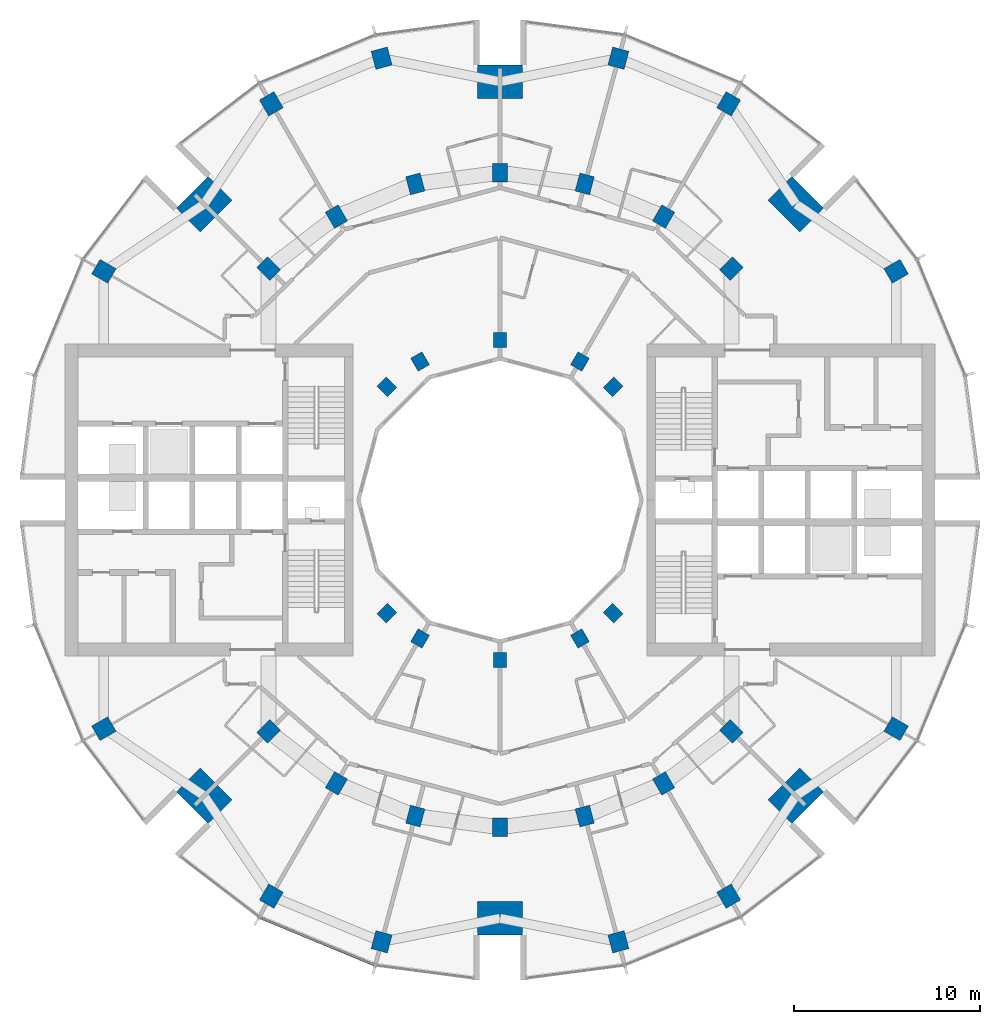
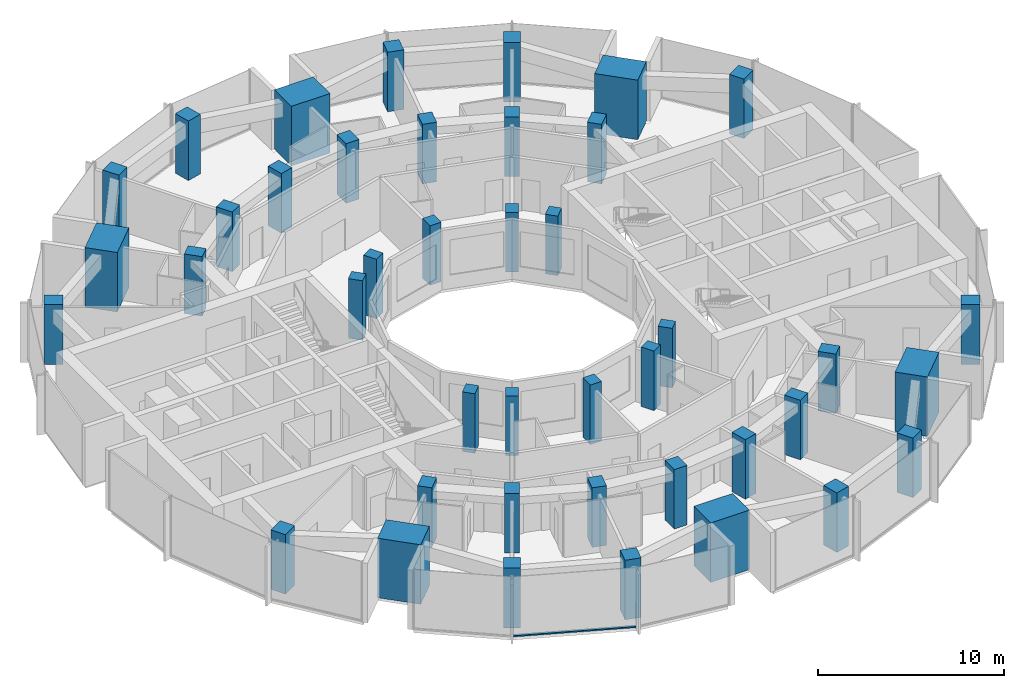
# One storey, part 1 of 15: 42 columns, 1 member, 1 element without a shape of its own.
"""IFC4 building model written with IfcOpenShell, lengths in metres."""

from ifc_helpers import new_model, si_unit, direction, frame, origin, origin_2d, place, context, subcontext, project, spatial, rectangle, extrude, material, layer, layer_set, material_profile, profile_set, type_object, element, aggregate, save


model = new_model("IFC4")

# Units and contexts
model_context = context("Model", 3, precision=1e-05, world=origin(), true_north=direction((0.0, 1.0)))
body_context = subcontext(model_context, "Body", "Model", "MODEL_VIEW")
ifc_project = project(units=[si_unit("LENGTHUNIT", "METRE"), si_unit("AREAUNIT", "SQUARE_METRE"), si_unit("VOLUMEUNIT", "CUBIC_METRE"), si_unit("PLANEANGLEUNIT", "RADIAN"), si_unit("MASSUNIT", "GRAM", prefix="KILO")], contexts=[model_context])

# Site, building, storey
site_placement = place(None, origin())
site = spatial("IfcSite", under=ifc_project, at=site_placement, CompositionType="ELEMENT")
building_placement = place(site_placement, origin())
building = spatial("IfcBuilding", under=site, at=building_placement, Name="Torre Brocal", CompositionType="ELEMENT")
storey_placement = place(building_placement, frame((0.0, 0.0, 118.5)))
storey = spatial("IfcBuildingStorey", under=building, at=storey_placement, Name="L27", CompositionType="ELEMENT", Elevation=118.5)

# Columns
ifc_material_1 = material(Name="Concrete C70", Category="concrete")
ifc_material_profile_1 = material_profile(ifc_material_1, rectangle(XDim=1.0, YDim=0.800048828125, at=origin_2d()), Name="RC 1000X800")
ifc_profile_set_1 = profile_set([ifc_material_profile_1], Name="Concrete C70")
column_type_1 = type_object("IfcColumnType", Name="RC COLUMN 1000X800 C70", PredefinedType="COLUMN", material=ifc_profile_set_1)
for number, where, z_axis, x_axis, name in (
    (1, (92.445068359375, 87.445068359375, 0.0), (0.0, 0.0, 1.0), (0.707106781187, 0.707106781187, 0.0), "Column C-M03"),
    (2, (88.800048828125, 90.241943359375, 0.0), (0.0, 0.0, 1.0), (0.5, 0.866025403784, 0.0), "Column C-M04"),
    (3, (84.55517578125, 92.000244140625, 0.0), (0.0, 0.0, 1.0), (0.258819045103, 0.965925826289, 0.0), "Column C-M05"),
    (4, (80.0, 92.60009765625, 0.0), (0.0, 0.0, 1.0), (0.0, 1.0, 0.0), "Column C-M06"),
    (5, (75.44482421875, 92.000244140625, 0.0), (0.0, 0.0, 1.0), (-0.258819045103, 0.965925826289, 0.0), "Column C-M07"),
    (6, (71.199951171875, 90.241943359375, 0.0), (0.0, 0.0, 1.0), (-0.5, 0.866025403784, 0.0), "Column C-M08"),
    (7, (67.554931640625, 87.445068359375, 0.0), (0.0, 0.0, 1.0), (-0.707106781187, 0.707106781187, 0.0), "Column C-M09"),
    (8, (67.554931640625, 62.554931640625, 0.0), (0.0, 0.0, 1.0), (-0.707106781187, -0.707106781187, 0.0), "Column C-M15"),
    (9, (71.199951171875, 59.758056640625, 0.0), (0.0, 0.0, 1.0), (-0.5, -0.866025403784, 0.0), "Column C-M16"),
    (10, (75.44482421875, 57.999755859375, 0.0), (0.0, 0.0, 1.0), (-0.258819045103, -0.965925826289, 0.0), "Column C-M17"),
    (11, (80.0, 57.39990234375, 0.0), (0.0, 0.0, 1.0), (0.0, -1.0, 0.0), "Column C-M18"),
    (12, (84.55517578125, 57.999755859375, 0.0), (0.0, 0.0, 1.0), (0.258819045103, -0.965925826289, 0.0), "Column C-M19"),
    (13, (88.800048828125, 59.758056640625, 0.0), (0.0, 0.0, 1.0), (0.5, -0.866025403784, 0.0), "Column C-M20"),
    (14, (92.445068359375, 62.554931640625, 0.0), (0.0, 0.0, 1.0), (0.707106781187, -0.707106781187, 0.0), "Column C-M21"),
):
    element("IfcColumn", number, at=place(storey_placement, frame(where, z_axis=z_axis, x_axis=x_axis)), inside=storey, type_object=column_type_1, Name=name, PredefinedType="COLUMN", context=body_context, shape_type="SweptSolid", body=[
        extrude(rectangle(XDim=1.0, YDim=0.800048828125, at=origin_2d()), origin(), (0.0, 0.0, 1.0), 3.89990234375),
    ])
ifc_material_2 = material(Name="Concrete C70", Category="concrete")
ifc_material_profile_2 = material_profile(ifc_material_2, rectangle(XDim=1.0, YDim=0.89990234375, at=origin_2d()), Name="RC 1000X900")
ifc_profile_set_2 = profile_set([ifc_material_profile_2], Name="Concrete C70")
column_type_2 = type_object("IfcColumnType", Name="RC COLUMN 1000X900 C70", PredefinedType="COLUMN", material=ifc_profile_set_2)
for number, where, z_axis, x_axis, name in (
    (15, (101.30419921875, 87.300048828125, 0.0), (0.0, 0.0, 1.0), (0.866025403784, 0.5, 0.0), "Column C-O02"),
    (16, (92.300048828125, 96.30419921875, 0.0), (0.0, 0.0, 1.0), (0.5, 0.866025403784, 0.0), "Column C-O04"),
    (17, (86.366943359375, 98.76171875, 0.0), (0.0, 0.0, 1.0), (0.258819045103, 0.965925826289, 0.0), "Column C-O05"),
    (18, (73.633056640625, 98.76171875, 0.0), (0.0, 0.0, 1.0), (-0.258819045103, 0.965925826289, 0.0), "Column C-O07"),
    (19, (67.699951171875, 96.30419921875, 0.0), (0.0, 0.0, 1.0), (-0.5, 0.866025403784, 0.0), "Column C-O08"),
    (20, (58.69580078125, 87.300048828125, 0.0), (0.0, 0.0, 1.0), (-0.866025403784, 0.5, 0.0), "Column C-O10"),
    (21, (58.69580078125, 62.699951171875, 0.0), (0.0, 0.0, 1.0), (-0.866025403784, -0.5, 0.0), "Column C-O14"),
    (22, (67.699951171875, 53.69580078125, 0.0), (0.0, 0.0, 1.0), (-0.5, -0.866025403784, 0.0), "Column C-O16"),
    (23, (73.633056640625, 51.23828125, 0.0), (0.0, 0.0, 1.0), (-0.258819045103, -0.965925826289, 0.0), "Column C-O17"),
    (24, (86.366943359375, 51.23828125, 0.0), (0.0, 0.0, 1.0), (0.258819045103, -0.965925826289, 0.0), "Column C-O19"),
    (25, (92.300048828125, 53.69580078125, 0.0), (0.0, 0.0, 1.0), (0.5, -0.866025403784, 0.0), "Column C-O20"),
    (26, (101.30419921875, 62.699951171875, 0.0), (0.0, 0.0, 1.0), (0.866025403784, -0.5, 0.0), "Column C-O22"),
):
    element("IfcColumn", number, at=place(storey_placement, frame(where, z_axis=z_axis, x_axis=x_axis)), inside=storey, type_object=column_type_2, Name=name, PredefinedType="COLUMN", context=body_context, shape_type="SweptSolid", body=[
        extrude(rectangle(XDim=1.0, YDim=0.89990234375, at=origin_2d()), origin(), (0.0, 0.0, 1.0), 3.89990234375),
    ])
ifc_material_3 = material(Name="Concrete C70", Category="concrete")
ifc_material_profile_3 = material_profile(ifc_material_3, rectangle(XDim=1.800048828125, YDim=2.39990234375, at=origin_2d()), Name="RC 1800X2400")
ifc_profile_set_3 = profile_set([ifc_material_profile_3], Name="Concrete C70")
column_type_3 = type_object("IfcColumnType", Name="RC COLUMN 1800X2400 C70", PredefinedType="COLUMN", material=ifc_profile_set_3)
for number, where, z_axis, x_axis, name in (
    (27, (95.909912109375, 90.909912109375, 0.0), (0.0, 0.0, 1.0), (0.707106781187, 0.707106781187, 0.0), "Column MC-1"),
    (28, (80.0, 97.5, 0.0), (0.0, 0.0, 1.0), (0.0, 1.0, 0.0), "Column MC-2"),
    (29, (64.090087890625, 90.909912109375, 0.0), (0.0, 0.0, 1.0), (-0.707106781187, 0.707106781187, 0.0), "Column MC-3"),
    (30, (64.090087890625, 59.090087890625, 0.0), (0.0, 0.0, 1.0), (-0.707106781187, -0.707106781187, 0.0), "Column MC-5"),
    (31, (80.0, 52.5, 0.0), (0.0, 0.0, 1.0), (0.0, -1.0, 0.0), "Column MC-6"),
    (32, (95.909912109375, 59.090087890625, 0.0), (0.0, 0.0, 1.0), (0.707106781187, -0.707106781187, 0.0), "Column MC-7"),
):
    element("IfcColumn", number, at=place(storey_placement, frame(where, z_axis=z_axis, x_axis=x_axis)), inside=storey, type_object=column_type_3, Name=name, PredefinedType="COLUMN", context=body_context, shape_type="SweptSolid", body=[
        extrude(rectangle(XDim=1.800048828125, YDim=2.39990234375, at=origin_2d()), origin(), (0.0, 0.0, 1.0), 3.89990234375),
    ])
ifc_material_4 = material(Name="Concrete C70", Category="concrete")
ifc_material_profile_4 = material_profile(ifc_material_4, rectangle(XDim=0.800048828125, YDim=0.699951171875, at=origin_2d()), Name="RC 800X700")
ifc_profile_set_4 = profile_set([ifc_material_profile_4], Name="Concrete C70")
column_type_4 = type_object("IfcColumnType", Name="RC COLUMN 800X700 C70", PredefinedType="COLUMN", material=ifc_profile_set_4)
for number, where, z_axis, x_axis, name in (
    (33, (86.0810546875, 81.0810546875, 0.0), (0.0, 0.0, 1.0), (0.707106781187, 0.707106781187, 0.0), "Column C-I03"),
    (34, (84.300048828125, 82.44775390625, 0.0), (0.0, 0.0, 1.0), (0.5, 0.866025403784, 0.0), "Column C-I04"),
    (35, (80.0, 83.60009765625, 0.0), (0.0, 0.0, 1.0), (0.0, 1.0, 0.0), "Column C-I06"),
    (36, (75.699951171875, 82.44775390625, 0.0), (0.0, 0.0, 1.0), (-0.5, 0.866025403784, 0.0), "Column C-I08"),
    (37, (73.9189453125, 81.0810546875, 0.0), (0.0, 0.0, 1.0), (-0.707106781187, 0.707106781187, 0.0), "Column C-I09"),
    (38, (73.9189453125, 68.9189453125, 0.0), (0.0, 0.0, 1.0), (-0.707106781187, -0.707106781187, 0.0), "Column C-I15"),
    (39, (75.699951171875, 67.55224609375, 0.0), (0.0, 0.0, 1.0), (-0.5, -0.866025403784, 0.0), "Column C-I16"),
    (40, (80.0, 66.39990234375, 0.0), (0.0, 0.0, 1.0), (0.0, -1.0, 0.0), "Column C-I18"),
    (41, (84.300048828125, 67.55224609375, 0.0), (0.0, 0.0, 1.0), (0.5, -0.866025403784, 0.0), "Column C-I20"),
    (42, (86.0810546875, 68.9189453125, 0.0), (0.0, 0.0, 1.0), (0.707106781187, -0.707106781187, 0.0), "Column C-I21"),
):
    element("IfcColumn", number, at=place(storey_placement, frame(where, z_axis=z_axis, x_axis=x_axis)), inside=storey, type_object=column_type_4, Name=name, PredefinedType="COLUMN", context=body_context, shape_type="SweptSolid", body=[
        extrude(rectangle(XDim=0.800048828125, YDim=0.699951171875, at=origin_2d()), origin(), (0.0, 0.0, 1.0), 3.89990234375),
    ])

# Curtain wall, member
ifc_material_5 = material(Name="Aluminium and glass", Category="aluminium")
ifc_layer = layer(ifc_material_5, 0.199951171875)
ifc_layer_set = layer_set([ifc_layer], Name="Aluminium and glass")
curtain_wall_type = type_object("IfcCurtainWallType", Name="CW-1 CURTAIN WALL 3900 HIGH", PredefinedType="NOTDEFINED", material=ifc_layer_set)
curtain_wall_placement = place(storey_placement, origin())
curtain_wall = element("IfcCurtainWall", 43, at=curtain_wall_placement, inside=storey, type_object=curtain_wall_type, Name="CW-1 RUN 17", PredefinedType="NOTDEFINED")
ifc_material_6 = material(Name="Aluminium, dark anodised", Category="aluminium")
ifc_material_profile_5 = material_profile(ifc_material_6, rectangle(XDim=0.159912109375, YDim=0.080078125, at=origin_2d()), Name="CW-1 TRANSOM 160X80")
ifc_profile_set_5 = profile_set([ifc_material_profile_5], Name="Aluminium, dark anodised")
member_type = type_object("IfcMemberType", Name="CW-1 TRANSOM 160X80", PredefinedType="USERDEFINED", material=ifc_profile_set_5)
member_placement = place(storey_placement, frame((67.10595703125, 52.547607421875, 0.0400390625), z_axis=(0.923887344364, -0.38266457234, 0.0), x_axis=(0.38266457234, 0.923887344364, 0.0)))
member = element("IfcMember", 44, at=member_placement, type_object=member_type, Name="CW1-3 transom 1.1", ObjectType="TRANSOM", PredefinedType="USERDEFINED", context=body_context, shape_type="SweptSolid", body=[
    extrude(rectangle(XDim=0.159912109375, YDim=0.080078125, at=origin_2d()), origin(), (0.0, 0.0, 1.0), 6.640869140625),
])
aggregate(curtain_wall, [member])

save(model, "model.ifc")
